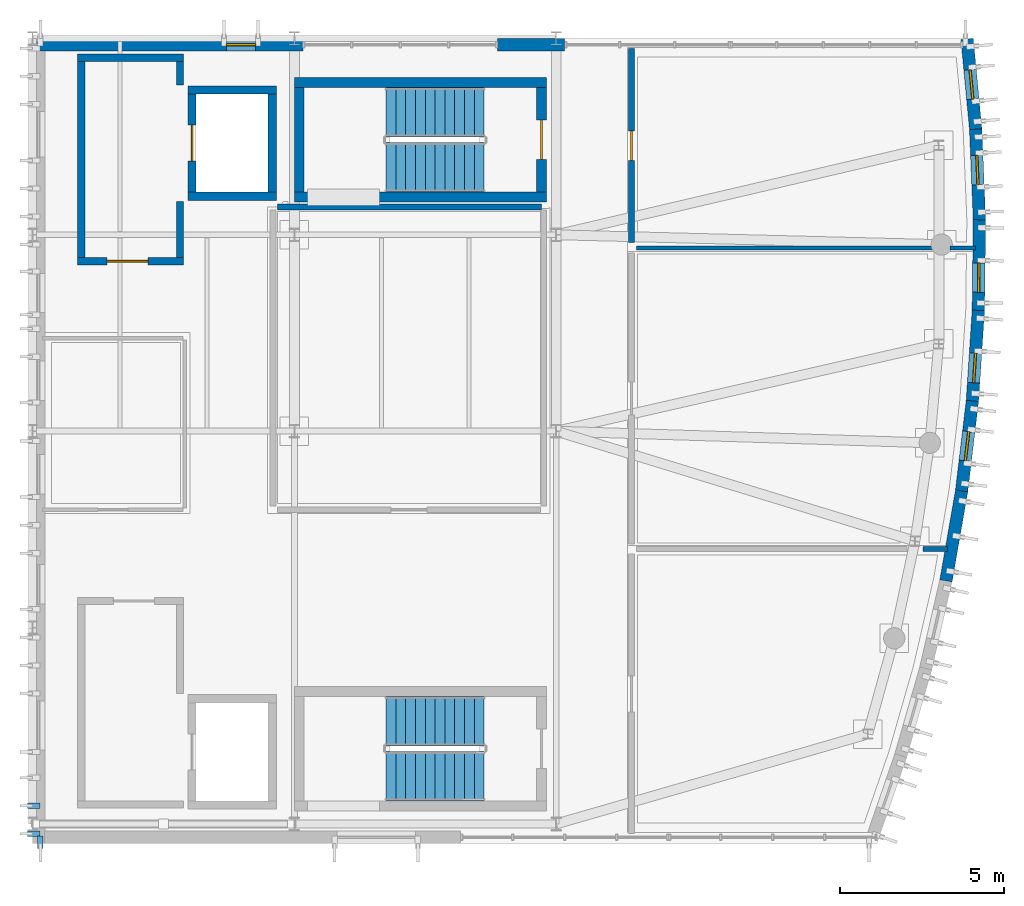
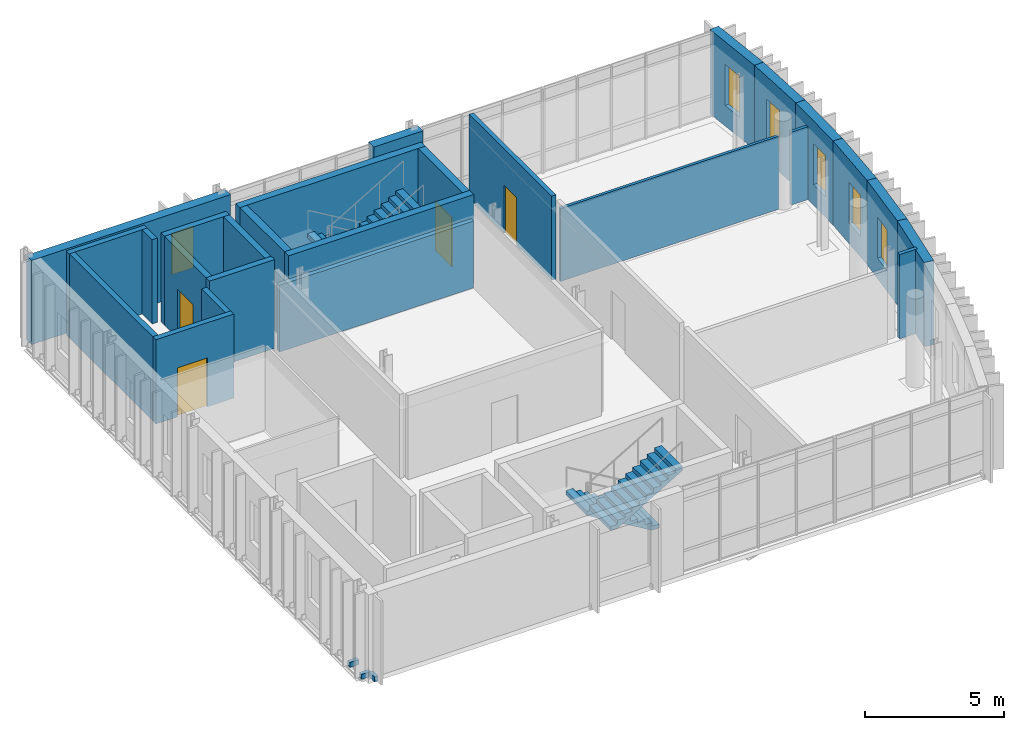
# One storey, part 7 of 10: 26 walls, 6 windows, 4 doors, 4 stair flights, 3 discrete accessories, 10 openings, 2 elements without a shape of their own.
"""IFC4 building model written with IfcOpenShell, lengths in metres."""

from ifc_helpers import new_model, si_unit, direction, frame, frame_2d, origin, origin_2d, place, context, subcontext, project, spatial, polyline, rectangle, outline, extrude, material, layer, layer_set, type_object, element, fill, aggregate, save


model = new_model("IFC4")

# Units and contexts
model_context = context("Model", 3, precision=1e-05, world=origin(), true_north=direction((0.0, 1.0)))
body_context = subcontext(model_context, "Body", "Model", "MODEL_VIEW")
ifc_project = project(units=[si_unit("LENGTHUNIT", "METRE"), si_unit("AREAUNIT", "SQUARE_METRE"), si_unit("VOLUMEUNIT", "CUBIC_METRE"), si_unit("PLANEANGLEUNIT", "RADIAN"), si_unit("MASSUNIT", "GRAM", prefix="KILO")], contexts=[model_context])

# Site, building, storey
site_placement = place(None, origin())
site = spatial("IfcSite", under=ifc_project, at=site_placement, CompositionType="ELEMENT")
building_placement = place(site_placement, origin())
building = spatial("IfcBuilding", under=site, at=building_placement, Name="Cymarion Research Institute", CompositionType="ELEMENT")
storey_placement = place(building_placement, frame((0.0, 0.0, 38.39990234375)))
storey = spatial("IfcBuildingStorey", under=building, at=storey_placement, Name="L09", CompositionType="ELEMENT", Elevation=38.39990234375)

# Wall
ifc_material_1 = material(Name="Precast concrete C40/50", Category="concrete")
ifc_layer_1 = layer(ifc_material_1, 0.3798828125)
ifc_layer_set_1 = layer_set([ifc_layer_1], Name="Precast concrete C40/50")
wall_type_1 = type_object("IfcWallType", Name="EXTERIOR WALL EW-PC380 380MM", PredefinedType="SOLIDWALL", material=ifc_layer_set_1)
wall_1_placement = place(storey_placement, frame((166.50830078125, 12.927490234375, 0.0), z_axis=(0.0, 0.0, 1.0), x_axis=(0.171699219546, 0.985149419128, 0.0)))
element("IfcWall", 1, at=wall_1_placement, inside=storey, type_object=wall_type_1, Name="L09 V1 exterior wall EW-PC380 #314", PredefinedType="SOLIDWALL", context=body_context, shape_type="SweptSolid", body=[
    extrude(rectangle(XDim=2.791259765625, YDim=0.3798828125, at=frame_2d((1.3955078125, 0.0))), origin(), (0.0, 0.0, 1.0), 3.7001953125),
])

# Wall, opening, window
wall_2_placement = place(storey_placement, frame((166.984619140625, 15.6552734375, 0.0), z_axis=(0.0, 0.0, 1.0), x_axis=(0.118779618782, 0.992920642429, 0.0)))
wall_2 = element("IfcWall", 2, at=wall_2_placement, inside=storey, type_object=wall_type_1, Name="L09 V1 exterior wall EW-PC380 #315", PredefinedType="SOLIDWALL", context=body_context, shape_type="SweptSolid", body=[
    extrude(rectangle(XDim=2.791259765625, YDim=0.3798828125, at=frame_2d((1.3955078125, 0.0))), origin(), (0.0, 0.0, 1.0), 3.7001953125),
])
opening_1_placement = place(wall_2_placement, frame((0.946044921875, 0.0, 0.89990234375)))
opening_1 = element("IfcOpeningElement", 3, at=opening_1_placement, cuts=wall_2, Name="Opening W24", PredefinedType="OPENING", context=body_context, shape_type="SweptSolid", body=[
    extrude(rectangle(XDim=0.89990234375, YDim=1.800048828125, at=frame_2d((0.449951171875, 0.89990234375))), frame((0.0, 0.199951171875, 0.0), z_axis=(0.0, -1.0, 0.0), x_axis=(1.0, 0.0, 0.0)), (0.0, 0.0, 1.0), 0.39990234375),
])
ifc_material_2 = material(Name="Thermally broken aluminium window with Low-E glazing", Category="aluminium")
window_type = type_object("IfcWindowType", Name="THERMALLY BROKEN ALUMINIUM WINDOW W24 900X1800", PartitioningType="SINGLE_PANEL", PredefinedType="WINDOW", material=ifc_material_2)
window_1_placement = place(opening_1_placement, origin())
window_1 = element("IfcWindow", 4, at=window_1_placement, inside=storey, type_object=window_type, Name="L09 V1 facade window W24 #550", OverallHeight=1.800048828125, OverallWidth=0.89990234375, PartitioningType="SINGLE_PANEL", PredefinedType="WINDOW", context=body_context, shape_type="SweptSolid", body=[
    extrude(rectangle(XDim=0.89990234375, YDim=1.800048828125, at=frame_2d((0.449951171875, 0.89990234375))), frame((0.0, 0.030029296875, 0.0), z_axis=(0.0, -1.0, 0.0), x_axis=(1.0, 0.0, 0.0)), (0.0, 0.0, 1.0), 0.06005859375),
])
fill(opening_1, window_1)

wall_3_placement = place(storey_placement, frame((167.314453125, 18.404541015625, 0.0), z_axis=(0.0, 0.0, 1.0), x_axis=(0.065595994181, 0.997846263483, 0.0)))
wall_3 = element("IfcWall", 5, at=wall_3_placement, inside=storey, type_object=wall_type_1, Name="L09 V1 exterior wall EW-PC380 #316", PredefinedType="SOLIDWALL", context=body_context, shape_type="SweptSolid", body=[
    extrude(rectangle(XDim=2.79150390625, YDim=0.3798828125, at=frame_2d((1.395751953125, 0.0))), origin(), (0.0, 0.0, 1.0), 3.7001953125),
])
opening_2_placement = place(wall_3_placement, frame((0.5791015625, 0.0, 0.89990234375)))
opening_2 = element("IfcOpeningElement", 6, at=opening_2_placement, cuts=wall_3, Name="Opening W24", PredefinedType="OPENING", context=body_context, shape_type="SweptSolid", body=[
    extrude(rectangle(XDim=0.89990234375, YDim=1.800048828125, at=frame_2d((0.449951171875, 0.89990234375))), frame((0.0, 0.199951171875, 0.0), z_axis=(0.0, -1.0, 0.0), x_axis=(1.0, 0.0, 0.0)), (0.0, 0.0, 1.0), 0.39990234375),
])
window_2_placement = place(opening_2_placement, origin())
window_2 = element("IfcWindow", 7, at=window_2_placement, inside=storey, type_object=window_type, Name="L09 V1 facade window W24 #551", OverallHeight=1.800048828125, OverallWidth=0.89990234375, PartitioningType="SINGLE_PANEL", PredefinedType="WINDOW", context=body_context, shape_type="SweptSolid", body=[
    extrude(rectangle(XDim=0.89990234375, YDim=1.800048828125, at=frame_2d((0.449951171875, 0.89990234375))), frame((0.0, 0.030029296875, 0.0), z_axis=(0.0, -1.0, 0.0), x_axis=(1.0, 0.0, 0.0)), (0.0, 0.0, 1.0), 0.06005859375),
])
fill(opening_2, window_2)

wall_4_placement = place(storey_placement, frame((167.4970703125, 21.167724609375, 0.0), z_axis=(0.0, 0.0, 1.0), x_axis=(0.012157953676, 0.99992608935, 0.0)))
wall_4 = element("IfcWall", 8, at=wall_4_placement, inside=storey, type_object=wall_type_1, Name="L09 V1 exterior wall EW-PC380 #317", PredefinedType="SOLIDWALL", context=body_context, shape_type="SweptSolid", body=[
    extrude(rectangle(XDim=2.791259765625, YDim=0.3798828125, at=frame_2d((1.3955078125, 0.0))), origin(), (0.0, 0.0, 1.0), 3.7001953125),
])
opening_3_placement = place(wall_4_placement, frame((0.575927734375, 0.0, 0.89990234375)))
opening_3 = element("IfcOpeningElement", 9, at=opening_3_placement, cuts=wall_4, Name="Opening W24", PredefinedType="OPENING", context=body_context, shape_type="SweptSolid", body=[
    extrude(rectangle(XDim=0.89990234375, YDim=1.800048828125, at=frame_2d((0.449951171875, 0.89990234375))), frame((0.0, 0.199951171875, 0.0), z_axis=(0.0, -1.0, 0.0), x_axis=(1.0, 0.0, 0.0)), (0.0, 0.0, 1.0), 0.39990234375),
])
window_3_placement = place(opening_3_placement, origin())
window_3 = element("IfcWindow", 10, at=window_3_placement, inside=storey, type_object=window_type, Name="L09 V1 facade window W24 #552", OverallHeight=1.800048828125, OverallWidth=0.89990234375, PartitioningType="SINGLE_PANEL", PredefinedType="WINDOW", context=body_context, shape_type="SweptSolid", body=[
    extrude(rectangle(XDim=0.89990234375, YDim=1.800048828125, at=frame_2d((0.449951171875, 0.89990234375))), frame((0.0, 0.030029296875, 0.0), z_axis=(0.0, -1.0, 0.0), x_axis=(1.0, 0.0, 0.0)), (0.0, 0.0, 1.0), 0.06005859375),
])
fill(opening_3, window_3)

wall_5_placement = place(storey_placement, frame((167.53173828125, 23.9365234375, 0.0), z_axis=(0.0, 0.0, 1.0), x_axis=(-0.041284914613, 0.999147414462, 0.0)))
wall_5 = element("IfcWall", 11, at=wall_5_placement, inside=storey, type_object=wall_type_1, Name="L09 V1 exterior wall EW-PC380 #318", PredefinedType="SOLIDWALL", context=body_context, shape_type="SweptSolid", body=[
    extrude(rectangle(XDim=2.791259765625, YDim=0.3798828125, at=frame_2d((1.3955078125, 0.0))), origin(), (0.0, 0.0, 1.0), 3.7001953125),
])
opening_4_placement = place(wall_5_placement, frame((1.093017578125, 0.0, 0.89990234375)))
opening_4 = element("IfcOpeningElement", 12, at=opening_4_placement, cuts=wall_5, Name="Opening W24", PredefinedType="OPENING", context=body_context, shape_type="SweptSolid", body=[
    extrude(rectangle(XDim=0.89990234375, YDim=1.800048828125, at=frame_2d((0.449951171875, 0.89990234375))), frame((0.0, 0.199951171875, 0.0), z_axis=(0.0, -1.0, 0.0), x_axis=(1.0, 0.0, 0.0)), (0.0, 0.0, 1.0), 0.39990234375),
])
window_4_placement = place(opening_4_placement, origin())
window_4 = element("IfcWindow", 13, at=window_4_placement, inside=storey, type_object=window_type, Name="L09 V1 facade window W24 #553", OverallHeight=1.800048828125, OverallWidth=0.89990234375, PartitioningType="SINGLE_PANEL", PredefinedType="WINDOW", context=body_context, shape_type="SweptSolid", body=[
    extrude(rectangle(XDim=0.89990234375, YDim=1.800048828125, at=frame_2d((0.449951171875, 0.89990234375))), frame((0.0, 0.030029296875, 0.0), z_axis=(0.0, -1.0, 0.0), x_axis=(1.0, 0.0, 0.0)), (0.0, 0.0, 1.0), 0.06005859375),
])
fill(opening_4, window_4)

wall_6_placement = place(storey_placement, frame((167.418212890625, 26.703369140625, 0.0), z_axis=(0.0, 0.0, 1.0), x_axis=(-0.094557288026, 0.99551942185, 0.0)))
wall_6 = element("IfcWall", 14, at=wall_6_placement, inside=storey, type_object=wall_type_1, Name="L09 V1 exterior wall EW-PC380 #319", PredefinedType="SOLIDWALL", context=body_context, shape_type="SweptSolid", body=[
    extrude(rectangle(XDim=2.791015625, YDim=0.3798828125, at=frame_2d((1.3955078125, 0.0))), origin(), (0.0, 0.0, 1.0), 3.7001953125),
])
opening_5_placement = place(wall_6_placement, frame((0.946044921875, 0.0, 0.89990234375)))
opening_5 = element("IfcOpeningElement", 15, at=opening_5_placement, cuts=wall_6, Name="Opening W24", PredefinedType="OPENING", context=body_context, shape_type="SweptSolid", body=[
    extrude(rectangle(XDim=0.89990234375, YDim=1.800048828125, at=frame_2d((0.449951171875, 0.89990234375))), frame((0.0, 0.199951171875, 0.0), z_axis=(0.0, -1.0, 0.0), x_axis=(1.0, 0.0, 0.0)), (0.0, 0.0, 1.0), 0.39990234375),
])
window_5_placement = place(opening_5_placement, origin())
window_5 = element("IfcWindow", 16, at=window_5_placement, inside=storey, type_object=window_type, Name="L09 V1 facade window W24 #554", OverallHeight=1.800048828125, OverallWidth=0.89990234375, PartitioningType="SINGLE_PANEL", PredefinedType="WINDOW", context=body_context, shape_type="SweptSolid", body=[
    extrude(rectangle(XDim=0.89990234375, YDim=1.800048828125, at=frame_2d((0.449951171875, 0.89990234375))), frame((0.0, 0.030029296875, 0.0), z_axis=(0.0, -1.0, 0.0), x_axis=(1.0, 0.0, 0.0)), (0.0, 0.0, 1.0), 0.06005859375),
])
fill(opening_5, window_5)

# Wall
wall_7_placement = place(storey_placement, frame((154.860107421875, 29.31005859375, 0.0), z_axis=(0.0, 0.0, 1.0), x_axis=(-1.0, 0.0, 0.0)))
element("IfcWall", 17, at=wall_7_placement, inside=storey, type_object=wall_type_1, Name="L09 V1 facade pier wall EW-PC380 #320", PredefinedType="SOLIDWALL", context=body_context, shape_type="SweptSolid", body=[
    extrude(rectangle(XDim=2.05224609375, YDim=0.3798828125, at=frame_2d((1.026123046875, 0.0))), origin(), (0.0, 0.0, 1.0), 3.7001953125),
])

# Wall, opening, window
wall_8_placement = place(storey_placement, frame((146.860107421875, 29.31005859375, 0.0), z_axis=(0.0, 0.0, 1.0), x_axis=(-1.0, 0.0, 0.0)))
wall_8 = element("IfcWall", 18, at=wall_8_placement, inside=storey, type_object=wall_type_1, Name="L09 V1 facade pier wall EW-PC380 #321", PredefinedType="SOLIDWALL", context=body_context, shape_type="SweptSolid", body=[
    extrude(rectangle(XDim=8.260009765625, YDim=0.3798828125, at=frame_2d((4.1298828125, 0.0))), origin(), (0.0, 0.0, 1.0), 3.7001953125),
])
opening_6_placement = place(wall_8_placement, frame((1.44091796875, 0.0, 0.89990234375)))
opening_6 = element("IfcOpeningElement", 19, at=opening_6_placement, cuts=wall_8, Name="Opening W24", PredefinedType="OPENING", context=body_context, shape_type="SweptSolid", body=[
    extrude(rectangle(XDim=0.89990234375, YDim=1.800048828125, at=frame_2d((0.449951171875, 0.89990234375))), frame((0.0, 0.199951171875, 0.0), z_axis=(0.0, -1.0, 0.0), x_axis=(1.0, 0.0, 0.0)), (0.0, 0.0, 1.0), 0.39990234375),
])
window_6_placement = place(opening_6_placement, origin())
window_6 = element("IfcWindow", 20, at=window_6_placement, inside=storey, type_object=window_type, Name="L09 V1 facade window W24 #555", OverallHeight=1.800048828125, OverallWidth=0.89990234375, PartitioningType="SINGLE_PANEL", PredefinedType="WINDOW", context=body_context, shape_type="SweptSolid", body=[
    extrude(rectangle(XDim=0.89990234375, YDim=1.800048828125, at=frame_2d((0.449951171875, 0.89990234375))), frame((0.0, 0.030029296875, 0.0), z_axis=(0.0, -1.0, 0.0), x_axis=(1.0, 0.0, 0.0)), (0.0, 0.0, 1.0), 0.06005859375),
])
fill(opening_6, window_6)

# Walls
ifc_material_3 = material(Name="Gypsum acoustic double-stud partition", Category="gypsum")
ifc_layer_2 = layer(ifc_material_3, 0.14990234375)
ifc_layer_set_2 = layer_set([ifc_layer_2], Name="Gypsum acoustic double-stud partition")
wall_type_2 = type_object("IfcWallType", Name="INTERIOR PARTITION IW-AC150 150MM", PredefinedType="PARTITIONING", material=ifc_layer_set_2)
wall_9_placement = place(storey_placement, frame((165.809814453125, 13.89990234375, 0.0), z_axis=(0.0, 0.0, 1.0), x_axis=(1.0, 0.0, 0.0)))
element("IfcWall", 21, at=wall_9_placement, inside=storey, type_object=wall_type_2, Name="L09 V1 interior partition IW-AC150 #417", PredefinedType="PARTITIONING", context=body_context, shape_type="SweptSolid", body=[
    extrude(rectangle(XDim=0.751220703125, YDim=0.14990234375, at=frame_2d((0.37548828125, 0.0))), origin(), (0.0, 0.0, 1.0), 3.7001953125),
])
ifc_material_4 = material(Name="Moisture-resistant laboratory partition", Category="gypsum")
ifc_layer_3 = layer(ifc_material_4, 0.179931640625)
ifc_layer_set_3 = layer_set([ifc_layer_3], Name="Moisture-resistant laboratory partition")
wall_type_3 = type_object("IfcWallType", Name="INTERIOR PARTITION IW-LB180 180MM", PredefinedType="PARTITIONING", material=ifc_layer_set_3)
wall_10_placement = place(storey_placement, frame((146.080078125, 24.35009765625, 0.0), z_axis=(0.0, 0.0, 1.0), x_axis=(1.0, 0.0, 0.0)))
element("IfcWall", 22, at=wall_10_placement, inside=storey, type_object=wall_type_3, Name="L09 V1 interior partition IW-LB180 #413", PredefinedType="PARTITIONING", context=body_context, shape_type="SweptSolid", body=[
    extrude(rectangle(XDim=8.06982421875, YDim=0.179931640625, at=frame_2d((4.034912109375, 0.0))), origin(), (0.0, 0.0, 1.0), 2.93017578125),
])

# Wall, opening, door
wall_11_placement = place(storey_placement, frame((156.89990234375, 23.260009765625, 0.0), z_axis=(0.0, 0.0, 1.0), x_axis=(0.0, 1.0, 0.0)))
wall_11 = element("IfcWall", 23, at=wall_11_placement, inside=storey, type_object=wall_type_3, Name="L09 V1 interior partition IW-LB180 #422", PredefinedType="PARTITIONING", context=body_context, shape_type="SweptSolid", body=[
    extrude(rectangle(XDim=5.93505859375, YDim=0.179931640625, at=frame_2d((2.967529296875, 0.0))), origin(), (0.0, 0.0, 1.0), 3.7001953125),
])
opening_7_placement = place(wall_11_placement, frame((2.51708984375, 0.0, 0.0)))
opening_7 = element("IfcOpeningElement", 24, at=opening_7_placement, cuts=wall_11, Name="Opening D-L09-242", PredefinedType="OPENING", context=body_context, shape_type="SweptSolid", body=[
    extrude(rectangle(XDim=0.89990234375, YDim=2.10009765625, at=frame_2d((0.449951171875, 1.050048828125))), frame((0.0, 0.099853515625, 0.0), z_axis=(0.0, -1.0, 0.0), x_axis=(1.0, 0.0, 0.0)), (0.0, 0.0, 1.0), 0.199951171875),
])
ifc_material_5 = material(Name="Flush acoustic timber/steel door assembly", Category="steel")
door_type_1 = type_object("IfcDoorType", Name="ACCESSIBLE RESTROOM DOOR DT-WC090 900X2100", OperationType="NOTDEFINED", PredefinedType="DOOR", material=ifc_material_5)
door_1_placement = place(opening_7_placement, origin())
door_1 = element("IfcDoor", 25, at=door_1_placement, inside=storey, type_object=door_type_1, Name="L09 Tower WC door D-L09-242", OperationType="SINGLE_SWING_LEFT", OverallHeight=2.10009765625, OverallWidth=0.89990234375, PredefinedType="DOOR", context=body_context, shape_type="SweptSolid", body=[
    extrude(rectangle(XDim=0.89990234375, YDim=2.10009765625, at=frame_2d((0.449951171875, 1.050048828125))), frame((0.0, 0.02490234375, 0.0), z_axis=(0.0, -1.0, 0.0), x_axis=(1.0, 0.0, 0.0)), (0.0, 0.0, 1.0), 0.050048828125),
])
fill(opening_7, door_1)

# Walls
ifc_material_6 = material(Name="Service riser shaft wall", Category="gypsum")
ifc_layer_4 = layer(ifc_material_6, 0.1201171875)
ifc_layer_set_4 = layer_set([ifc_layer_4], Name="Service riser shaft wall")
wall_type_4 = type_object("IfcWallType", Name="INTERIOR PARTITION IW-SH120 120MM", PredefinedType="PARTITIONING", material=ifc_layer_set_4)
wall_12_placement = place(storey_placement, frame((157.050048828125, 23.10009765625, 0.0), z_axis=(0.0, 0.0, 1.0), x_axis=(1.0, 0.0, 0.0)))
element("IfcWall", 26, at=wall_12_placement, inside=storey, type_object=wall_type_4, Name="L09 V1 interior partition IW-SH120 #418", PredefinedType="PARTITIONING", context=body_context, shape_type="SweptSolid", body=[
    extrude(rectangle(XDim=9.076416015625, YDim=0.1201171875, at=frame_2d((4.5380859375, 0.0))), origin(), (0.0, 0.0, 1.0), 3.2001953125),
])
wall_13_placement = place(storey_placement, frame((166.62646484375, 23.10009765625, 0.0), z_axis=(0.0, 0.0, 1.0), x_axis=(1.0, 0.0, 0.0)))
element("IfcWall", 27, at=wall_13_placement, inside=storey, type_object=wall_type_4, Name="L09 V1 interior partition IW-SH120 #419", PredefinedType="PARTITIONING", context=body_context, shape_type="SweptSolid", body=[
    extrude(rectangle(XDim=0.779052734375, YDim=0.1201171875, at=frame_2d((0.3896484375, 0.0))), origin(), (0.0, 0.0, 1.0), 3.2001953125),
])

# Wall, opening, door
ifc_material_7 = material(Name="Concrete C40/50", Category="concrete")
ifc_layer_5 = layer(ifc_material_7, 0.219970703125)
ifc_layer_set_5 = layer_set([ifc_layer_5], Name="Concrete C40/50")
wall_type_5 = type_object("IfcWallType", Name="REINFORCED CONCRETE CORE WALL CW-FF220 220MM", PredefinedType="SOLIDWALL", material=ifc_layer_set_5)
wall_14_placement = place(storey_placement, frame((139.97998046875, 22.68994140625, 0.0), z_axis=(0.0, 0.0, 1.0), x_axis=(1.0, 0.0, 0.0)))
wall_14 = element("IfcWall", 28, at=wall_14_placement, inside=storey, type_object=wall_type_5, Name="L09 FFL-LF2-L09 south core wall", PredefinedType="SOLIDWALL", context=body_context, shape_type="SweptSolid", body=[
    extrude(rectangle(XDim=3.239990234375, YDim=0.219970703125, at=frame_2d((1.6201171875, 0.0))), origin(), (0.0, 0.0, 1.0), 3.7001953125),
])
opening_8_placement = place(wall_14_placement, frame((0.89990234375, 0.0, 0.0)))
opening_8 = element("IfcOpeningElement", 29, at=opening_8_placement, cuts=wall_14, Name="Opening FD-FFL-LF2-L09", PredefinedType="OPENING", context=body_context, shape_type="SweptSolid", body=[
    extrude(rectangle(XDim=1.25, YDim=2.14990234375, at=frame_2d((0.625, 1.074951171875))), frame((0.0, 0.119873046875, 0.0), z_axis=(0.0, -1.0, 0.0), x_axis=(1.0, 0.0, 0.0)), (0.0, 0.0, 1.0), 0.239990234375),
])
ifc_material_8 = material(Name="Fire-rated insulated steel door assembly", Category="steel")
door_type_2 = type_object("IfcDoorType", Name="FIREFIGHTING LOBBY DOOR DT-FF125 1250X2150", OperationType="NOTDEFINED", PredefinedType="DOOR", material=ifc_material_8)
door_2_placement = place(opening_8_placement, frame((1.25, 0.0, 0.0), z_axis=(0.0, 0.0, 1.0), x_axis=(-1.0, 0.0, 0.0)))
door_2 = element("IfcDoor", 30, at=door_2_placement, inside=storey, type_object=door_type_2, Name="L09 Firefighting lobby door FD-FFL-LF2-L09", OperationType="SINGLE_SWING_LEFT", OverallHeight=2.14990234375, OverallWidth=1.25, PredefinedType="DOOR", context=body_context, shape_type="SweptSolid", body=[
    extrude(rectangle(XDim=1.25, YDim=2.14990234375, at=frame_2d((0.625, 1.074951171875))), frame((0.0, 0.02490234375, 0.0), z_axis=(0.0, -1.0, 0.0), x_axis=(1.0, 0.0, 0.0)), (0.0, 0.0, 1.0), 0.050048828125),
])
fill(opening_8, door_2)

# Walls
wall_15_placement = place(storey_placement, frame((143.219970703125, 28.909912109375, 0.0), z_axis=(0.0, 0.0, 1.0), x_axis=(-1.0, 0.0, 0.0)))
element("IfcWall", 31, at=wall_15_placement, inside=storey, type_object=wall_type_5, Name="L09 FFL-LF2-L09 north core wall", PredefinedType="SOLIDWALL", context=body_context, shape_type="SweptSolid", body=[
    extrude(rectangle(XDim=3.239990234375, YDim=0.219970703125, at=frame_2d((1.6201171875, 0.0))), origin(), (0.0, 0.0, 1.0), 3.7001953125),
])
wall_16_placement = place(storey_placement, frame((140.090087890625, 28.800048828125, 0.0), z_axis=(0.0, 0.0, 1.0), x_axis=(0.0, -1.0, 0.0)))
element("IfcWall", 32, at=wall_16_placement, inside=storey, type_object=wall_type_5, Name="L09 FFL-LF2-L09 west core wall", PredefinedType="SOLIDWALL", context=body_context, shape_type="SweptSolid", body=[
    extrude(rectangle(XDim=6.0, YDim=0.219970703125, at=frame_2d((3.0, 0.0))), origin(), (0.0, 0.0, 1.0), 3.7001953125),
])
wall_17_placement = place(storey_placement, frame((143.110107421875, 22.800048828125, 0.0), z_axis=(0.0, 0.0, 1.0), x_axis=(0.0, 1.0, 0.0)))
element("IfcWall", 33, at=wall_17_placement, inside=storey, type_object=wall_type_5, Name="Core C2 firefighting lobby east closure wall L09 #1", PredefinedType="SOLIDWALL", context=body_context, shape_type="SweptSolid", body=[
    extrude(rectangle(XDim=1.719970703125, YDim=0.219970703125, at=frame_2d((0.85986328125, 0.0))), origin(), (0.0, 0.0, 1.0), 3.7001953125),
])
wall_18_placement = place(storey_placement, frame((143.110107421875, 28.080078125, 0.0), z_axis=(0.0, 0.0, 1.0), x_axis=(0.0, 1.0, 0.0)))
element("IfcWall", 34, at=wall_18_placement, inside=storey, type_object=wall_type_5, Name="Core C2 firefighting lobby east closure wall L09 #2", PredefinedType="SOLIDWALL", context=body_context, shape_type="SweptSolid", body=[
    extrude(rectangle(XDim=0.719970703125, YDim=0.219970703125, at=frame_2d((0.35986328125, 0.0))), origin(), (0.0, 0.0, 1.0), 3.7001953125),
])
ifc_layer_6 = layer(ifc_material_7, 0.25)
ifc_layer_set_6 = layer_set([ifc_layer_6], Name="Concrete C40/50")
wall_type_6 = type_object("IfcWallType", Name="REINFORCED CONCRETE CORE WALL CW-SH250 250MM", PredefinedType="SHEAR", material=ifc_layer_set_6)
for number, where, z_axis, x_axis, name in (
    (35, (143.35009765625, 24.675048828125, 0.0), (0.0, 0.0, 1.0), (1.0, 0.0, 0.0), "L09 LSH-LF2-L09 south core wall"),
    (36, (146.050048828125, 27.925048828125, 0.0), (0.0, 0.0, 1.0), (-1.0, 0.0, 0.0), "L09 LSH-LF2-L09 north core wall"),
):
    element("IfcWall", number, at=place(storey_placement, frame(where, z_axis=z_axis, x_axis=x_axis)), inside=storey, type_object=wall_type_6, Name=name, PredefinedType="SHEAR", context=body_context, shape_type="SweptSolid", body=[
        extrude(rectangle(XDim=2.699951171875, YDim=0.25, at=frame_2d((1.35009765625, 0.0))), origin(), (0.0, 0.0, 1.0), 3.900146484375),
    ])

# Wall, opening, door
wall_19_placement = place(storey_placement, frame((143.47509765625, 27.800048828125, 0.0), z_axis=(0.0, 0.0, 1.0), x_axis=(0.0, -1.0, 0.0)))
wall_19 = element("IfcWall", 37, at=wall_19_placement, inside=storey, type_object=wall_type_6, Name="L09 LSH-LF2-L09 west core wall", PredefinedType="SHEAR", context=body_context, shape_type="SweptSolid", body=[
    extrude(rectangle(XDim=3.0, YDim=0.25, at=frame_2d((1.5, 0.0))), origin(), (0.0, 0.0, 1.0), 3.900146484375),
])
opening_9_placement = place(wall_19_placement, frame((0.949951171875, 0.0, 0.0)))
opening_9 = element("IfcOpeningElement", 38, at=opening_9_placement, cuts=wall_19, Name="Opening LD-LF2-L09", PredefinedType="OPENING", context=body_context, shape_type="SweptSolid", body=[
    extrude(rectangle(XDim=1.10009765625, YDim=2.14990234375, at=frame_2d((0.550048828125, 1.074951171875))), frame((0.0, 0.135009765625, 0.0), z_axis=(0.0, -1.0, 0.0), x_axis=(1.0, 0.0, 0.0)), (0.0, 0.0, 1.0), 0.27001953125),
])
door_type_3 = type_object("IfcDoorType", Name="SLIDING LIFT LANDING DOOR DT-LD110 1100X2150", OperationType="DOUBLE_DOOR_SLIDING", PredefinedType="DOOR", material=ifc_material_8)
door_3_placement = place(opening_9_placement, origin())
door_3 = element("IfcDoor", 39, at=door_3_placement, inside=storey, type_object=door_type_3, Name="Lift LF2 landing door L09", OperationType="DOUBLE_DOOR_SLIDING", OverallHeight=2.14990234375, OverallWidth=1.10009765625, PredefinedType="DOOR", context=body_context, shape_type="SweptSolid", body=[
    extrude(rectangle(XDim=1.10009765625, YDim=2.14990234375, at=frame_2d((0.550048828125, 1.074951171875))), frame((0.0, 0.02490234375, 0.0), z_axis=(0.0, -1.0, 0.0), x_axis=(1.0, 0.0, 0.0)), (0.0, 0.0, 1.0), 0.050048828125),
])
fill(opening_9, door_3)

# Walls
wall_20_placement = place(storey_placement, frame((145.925048828125, 24.800048828125, 0.0), z_axis=(0.0, 0.0, 1.0), x_axis=(0.0, 1.0, 0.0)))
element("IfcWall", 40, at=wall_20_placement, inside=storey, type_object=wall_type_6, Name="L09 LSH-LF2-L09 east core wall", PredefinedType="SHEAR", context=body_context, shape_type="SweptSolid", body=[
    extrude(rectangle(XDim=3.0, YDim=0.25, at=frame_2d((1.5, 0.0))), origin(), (0.0, 0.0, 1.0), 3.900146484375),
])
ifc_layer_7 = layer(ifc_material_7, 0.300048828125)
ifc_layer_set_7 = layer_set([ifc_layer_7], Name="Concrete C40/50")
wall_type_7 = type_object("IfcWallType", Name="REINFORCED CONCRETE CORE WALL CW-SH300 300MM", PredefinedType="SHEAR", material=ifc_layer_set_7)
for number, where, z_axis, x_axis, name in (
    (41, (146.60009765625, 24.64990234375, 0.0), (0.0, 0.0, 1.0), (1.0, 0.0, 0.0), "L09 SHW-C2-L09 south core wall"),
    (42, (154.300048828125, 28.14990234375, 0.0), (0.0, 0.0, 1.0), (-1.0, 0.0, 0.0), "L09 SHW-C2-L09 north core wall"),
):
    element("IfcWall", number, at=place(storey_placement, frame(where, z_axis=z_axis, x_axis=x_axis)), inside=storey, type_object=wall_type_7, Name=name, PredefinedType="SHEAR", context=body_context, shape_type="SweptSolid", body=[
        extrude(rectangle(XDim=7.699951171875, YDim=0.300048828125, at=frame_2d((3.85009765625, 0.0))), origin(), (0.0, 0.0, 1.0), 3.900146484375),
    ])
wall_21_placement = place(storey_placement, frame((146.75, 28.0, 0.0), z_axis=(0.0, 0.0, 1.0), x_axis=(0.0, -1.0, 0.0)))
element("IfcWall", 43, at=wall_21_placement, inside=storey, type_object=wall_type_7, Name="L09 SHW-C2-L09 west core wall", PredefinedType="SHEAR", context=body_context, shape_type="SweptSolid", body=[
    extrude(rectangle(XDim=3.199951171875, YDim=0.300048828125, at=frame_2d((1.60009765625, 0.0))), origin(), (0.0, 0.0, 1.0), 3.900146484375),
])

# Wall, opening, door
wall_22_placement = place(storey_placement, frame((154.14990234375, 24.800048828125, 0.0), z_axis=(0.0, 0.0, 1.0), x_axis=(0.0, 1.0, 0.0)))
wall_22 = element("IfcWall", 44, at=wall_22_placement, inside=storey, type_object=wall_type_7, Name="L09 SHW-C2-L09 east core wall", PredefinedType="SHEAR", context=body_context, shape_type="SweptSolid", body=[
    extrude(rectangle(XDim=3.199951171875, YDim=0.300048828125, at=frame_2d((1.60009765625, 0.0))), origin(), (0.0, 0.0, 1.0), 3.900146484375),
])
opening_10_placement = place(wall_22_placement, frame((1.0, 0.0, 0.0)))
opening_10 = element("IfcOpeningElement", 45, at=opening_10_placement, cuts=wall_22, Name="Opening FD-L09-ST2", PredefinedType="OPENING", context=body_context, shape_type="SweptSolid", body=[
    extrude(rectangle(XDim=1.199951171875, YDim=2.14990234375, at=frame_2d((0.60009765625, 1.074951171875))), frame((0.0, 0.159912109375, 0.0), z_axis=(0.0, -1.0, 0.0), x_axis=(1.0, 0.0, 0.0)), (0.0, 0.0, 1.0), 0.320068359375),
])
door_type_4 = type_object("IfcDoorType", Name="SMOKE PROOF STAIR FIRE DOOR DT-ST120 1200X2150", OperationType="NOTDEFINED", PredefinedType="DOOR", material=ifc_material_8)
door_4_placement = place(opening_10_placement, origin())
door_4 = element("IfcDoor", 46, at=door_4_placement, inside=storey, type_object=door_type_4, Name="L09 ST2 smoke-proof stair door FD-L09-ST2", OperationType="SINGLE_SWING_RIGHT", OverallHeight=2.14990234375, OverallWidth=1.199951171875, PredefinedType="DOOR", context=body_context, shape_type="SweptSolid", body=[
    extrude(rectangle(XDim=1.199951171875, YDim=2.14990234375, at=frame_2d((0.60009765625, 1.074951171875))), frame((0.0, 0.02490234375, 0.0), z_axis=(0.0, -1.0, 0.0), x_axis=(1.0, 0.0, 0.0)), (0.0, 0.0, 1.0), 0.050048828125),
])
fill(opening_10, door_4)

# Stair, stair flights
ifc_material_9 = material(Name="Concrete C35/45", Category="concrete")
stair_type = type_object("IfcStairType", Name="REINFORCED CONCRETE DOGLEG STAIR STR-3900", PredefinedType="HALF_TURN_STAIR", material=ifc_material_9)
stair_1_placement = place(storey_placement, origin())
stair_1 = element("IfcStair", 47, at=stair_1_placement, inside=storey, type_object=stair_type, Name="L09 Core C1 Smoke-Proof Exit Stair ST1", PredefinedType="HALF_TURN_STAIR")
stair_flight_type = type_object("IfcStairFlightType", Name="REINFORCED CONCRETE STAIR FLIGHT SFL-3900", PredefinedType="STRAIGHT", material=ifc_material_9)
stair_flight_1_placement = place(storey_placement, frame((152.39990234375, 8.639892578125, 0.0), z_axis=(0.0, 0.0, 1.0), x_axis=(-1.0, 0.0, 0.0)))
stair_flight_1 = element("IfcStairFlight", 48, at=stair_flight_1_placement, type_object=stair_flight_type, Name="ST1 flight 1", NumberOfRisers=11, NumberOfTreads=10, PredefinedType="STRAIGHT", RiserHeight=0.177272727, TreadLength=0.3, context=body_context, shape_type="SweptSolid", body=[
    extrude(outline(polyline([(0.0, 0.0), (0.0, 0.17724609375), (0.300048828125, 0.17724609375), (0.300048828125, 0.3544921875), (0.60009765625, 0.3544921875), (0.60009765625, 0.53173828125), (0.89990234375, 0.53173828125), (0.89990234375, 0.708984375), (1.199951171875, 0.708984375), (1.199951171875, 0.886474609375), (1.5, 0.886474609375), (1.5, 1.063720703125), (1.800048828125, 1.063720703125), (1.800048828125, 1.240966796875), (2.10009765625, 1.240966796875), (2.10009765625, 1.418212890625), (2.39990234375, 1.418212890625), (2.39990234375, 1.595458984375), (2.699951171875, 1.595458984375), (2.699951171875, 1.772705078125), (3.0, 1.772705078125), (3.0, 1.949951171875), (3.0, 1.5986328125), (0.294677734375, 0.0), (0.0, 0.0)])), frame((0.0, 0.760009765625, 0.0), z_axis=(0.0, -1.0, 0.0), x_axis=(1.0, 0.0, 0.0)), (0.0, 0.0, 1.0), 1.52001953125),
])
stair_flight_2_placement = place(storey_placement, frame((149.39990234375, 6.9599609375, 1.9501953125), z_axis=(0.0, 0.0, 1.0), x_axis=(1.0, 0.0, 0.0)))
stair_flight_2 = element("IfcStairFlight", 49, at=stair_flight_2_placement, type_object=stair_flight_type, Name="ST1 flight 2", NumberOfRisers=11, NumberOfTreads=10, PredefinedType="STRAIGHT", RiserHeight=0.177272727, TreadLength=0.3, context=body_context, shape_type="SweptSolid", body=[
    extrude(outline(polyline([(0.0, 0.0), (0.0, 0.17724609375), (0.300048828125, 0.17724609375), (0.300048828125, 0.3544921875), (0.60009765625, 0.3544921875), (0.60009765625, 0.53173828125), (0.89990234375, 0.53173828125), (0.89990234375, 0.708984375), (1.199951171875, 0.708984375), (1.199951171875, 0.886474609375), (1.5, 0.886474609375), (1.5, 1.063720703125), (1.800048828125, 1.063720703125), (1.800048828125, 1.240966796875), (2.10009765625, 1.240966796875), (2.10009765625, 1.418212890625), (2.39990234375, 1.418212890625), (2.39990234375, 1.595458984375), (2.699951171875, 1.595458984375), (2.699951171875, 1.772705078125), (3.0, 1.772705078125), (3.0, 1.949951171875), (3.0, 1.5986328125), (0.294677734375, 0.0), (0.0, 0.0)])), frame((0.0, 0.760009765625, 0.0), z_axis=(0.0, -1.0, 0.0), x_axis=(1.0, 0.0, 0.0)), (0.0, 0.0, 1.0), 1.52001953125),
])
aggregate(stair_1, [stair_flight_1, stair_flight_2])

stair_2_placement = place(storey_placement, origin())
stair_2 = element("IfcStair", 50, at=stair_2_placement, inside=storey, type_object=stair_type, Name="L09 Core C2 Smoke-Proof Exit Stair ST2", PredefinedType="HALF_TURN_STAIR")
stair_flight_3_placement = place(storey_placement, frame((152.39990234375, 27.239990234375, 0.0), z_axis=(0.0, 0.0, 1.0), x_axis=(-1.0, 0.0, 0.0)))
stair_flight_3 = element("IfcStairFlight", 51, at=stair_flight_3_placement, type_object=stair_flight_type, Name="ST2 flight 1", NumberOfRisers=11, NumberOfTreads=10, PredefinedType="STRAIGHT", RiserHeight=0.177272727, TreadLength=0.3, context=body_context, shape_type="SweptSolid", body=[
    extrude(outline(polyline([(0.0, 0.0), (0.0, 0.17724609375), (0.300048828125, 0.17724609375), (0.300048828125, 0.3544921875), (0.60009765625, 0.3544921875), (0.60009765625, 0.53173828125), (0.89990234375, 0.53173828125), (0.89990234375, 0.708984375), (1.199951171875, 0.708984375), (1.199951171875, 0.886474609375), (1.5, 0.886474609375), (1.5, 1.063720703125), (1.800048828125, 1.063720703125), (1.800048828125, 1.240966796875), (2.10009765625, 1.240966796875), (2.10009765625, 1.418212890625), (2.39990234375, 1.418212890625), (2.39990234375, 1.595458984375), (2.699951171875, 1.595458984375), (2.699951171875, 1.772705078125), (3.0, 1.772705078125), (3.0, 1.949951171875), (3.0, 1.5986328125), (0.294677734375, 0.0), (0.0, 0.0)])), frame((0.0, 0.760009765625, 0.0), z_axis=(0.0, -1.0, 0.0), x_axis=(1.0, 0.0, 0.0)), (0.0, 0.0, 1.0), 1.52001953125),
])
stair_flight_4_placement = place(storey_placement, frame((149.39990234375, 25.56005859375, 1.9501953125), z_axis=(0.0, 0.0, 1.0), x_axis=(1.0, 0.0, 0.0)))
stair_flight_4 = element("IfcStairFlight", 52, at=stair_flight_4_placement, type_object=stair_flight_type, Name="ST2 flight 2", NumberOfRisers=11, NumberOfTreads=10, PredefinedType="STRAIGHT", RiserHeight=0.177272727, TreadLength=0.3, context=body_context, shape_type="SweptSolid", body=[
    extrude(outline(polyline([(0.0, 0.0), (0.0, 0.17724609375), (0.300048828125, 0.17724609375), (0.300048828125, 0.3544921875), (0.60009765625, 0.3544921875), (0.60009765625, 0.53173828125), (0.89990234375, 0.53173828125), (0.89990234375, 0.708984375), (1.199951171875, 0.708984375), (1.199951171875, 0.886474609375), (1.5, 0.886474609375), (1.5, 1.063720703125), (1.800048828125, 1.063720703125), (1.800048828125, 1.240966796875), (2.10009765625, 1.240966796875), (2.10009765625, 1.418212890625), (2.39990234375, 1.418212890625), (2.39990234375, 1.595458984375), (2.699951171875, 1.595458984375), (2.699951171875, 1.772705078125), (3.0, 1.772705078125), (3.0, 1.949951171875), (3.0, 1.5986328125), (0.294677734375, 0.0), (0.0, 0.0)])), frame((0.0, 0.760009765625, 0.0), z_axis=(0.0, -1.0, 0.0), x_axis=(1.0, 0.0, 0.0)), (0.0, 0.0, 1.0), 1.52001953125),
])
aggregate(stair_2, [stair_flight_3, stair_flight_4])

# Discrete accessories
ifc_material_10 = material(Name="Steel S355", Category="steel")
discrete_accessory_type = type_object("IfcDiscreteAccessoryType", Name="STAINLESS STEEL FACADE FIN BRACKET FBK1", PredefinedType="BRACKET", material=ifc_material_10)
for number, where, z_axis, x_axis, name in (
    (53, (138.840087890625, 4.93994140625, -0.08984375), (0.0, 0.0, 1.0), (0.0, -1.0, 0.0), "L09 V1 precast fin anchor bracket #797"),
    (54, (138.639892578125, 6.05712890625, -0.08984375), (0.0, 0.0, 1.0), (-1.0, 0.0, 0.0), "L09 V1 precast fin anchor bracket #860"),
    (55, (138.639892578125, 5.199951171875, -0.08984375), (0.0, 0.0, 1.0), (-1.0, 0.0, 0.0), "L09 V1 precast fin anchor bracket #861"),
):
    element("IfcDiscreteAccessory", number, at=place(storey_placement, frame(where, z_axis=z_axis, x_axis=x_axis)), inside=storey, type_object=discrete_accessory_type, Name=name, PredefinedType="BRACKET", context=body_context, shape_type="SweptSolid", body=[
        extrude(rectangle(XDim=0.3798828125, YDim=0.159912109375, at=origin_2d()), origin(), (0.0, 0.0, 1.0), 0.219970703125),
    ])

save(model, "model.ifc")
